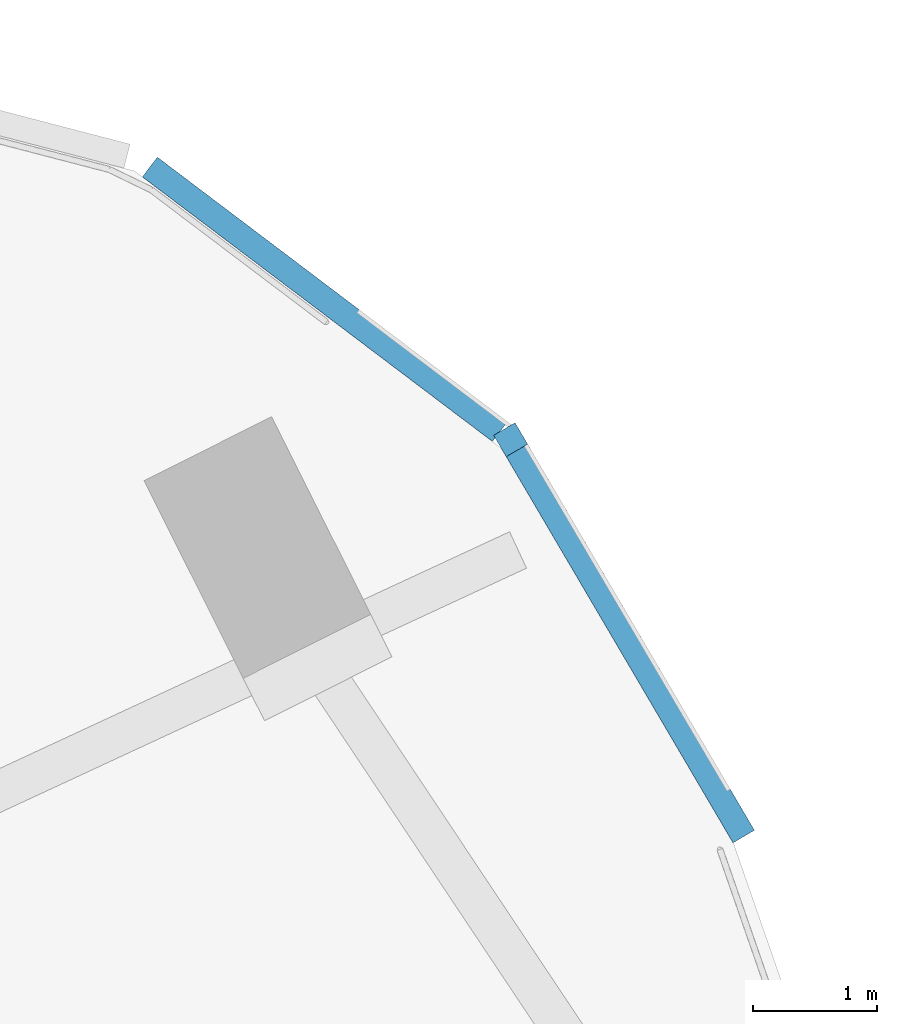
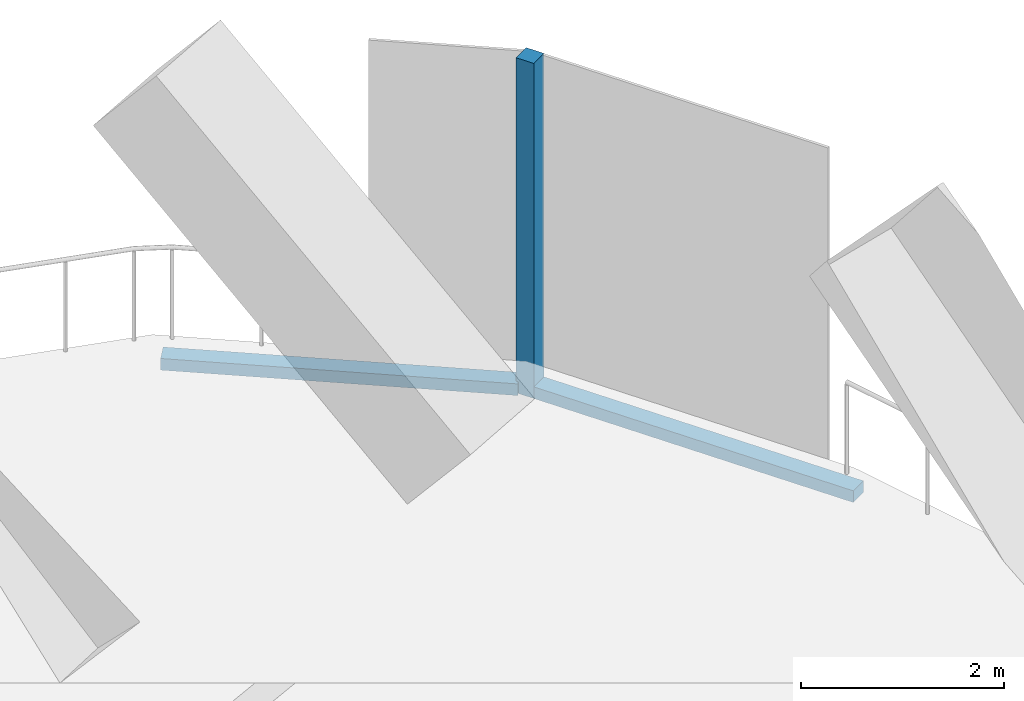
# One storey, part 11 of 26: 3 members, 2 elements without a shape of their own.
"""IFC4 building model written with IfcOpenShell, lengths in metres."""

import ifcopenshell
import ifcopenshell.guid

model = None  # the IFC model being written
_history = None  # IfcOwnerHistory: only IFC2X3 demands one
_inside = {}  # id of a spatial element -> (the spatial element, [elements in it])
_under = {}  # id of a project, library or spatial element -> (it, [spatial elements below it])
_declared = {}  # id of a project -> (the project, [libraries it declares])
_typed = {}  # id of a type object -> (the type object, [elements of that type])
_made_of = {}  # id of a material, layer set ... -> (it, [elements and type objects made of it])


def new_model(schema):
    """Start an empty IFC model of exactly this schema.

    Asked for "IFC4X3", IfcOpenShell would pick the latest addendum, in which some entities
    have other attributes; the version numbers below select the first issue.
    IFC2X3 requires an IfcOwnerHistory on every rooted entity: one is made here for all.
    """
    global model, _history
    if schema == "IFC4X3":
        model = ifcopenshell.file(schema_version=(4, 3, 0, 0))
    else:
        model = ifcopenshell.file(schema=schema)
    _inside.clear()
    _under.clear()
    _declared.clear()
    _typed.clear()
    _made_of.clear()
    _history = None
    if model.schema == "IFC2X3":
        org = make("IfcOrganization", Name="unknown")
        user = make(
            "IfcPersonAndOrganization",
            ThePerson=make("IfcPerson", FamilyName="unknown"),
            TheOrganization=org,
        )
        app = make(
            "IfcApplication",
            ApplicationDeveloper=org,
            Version="unknown",
            ApplicationFullName="unknown",
            ApplicationIdentifier="unknown",
        )
        _history = make(
            "IfcOwnerHistory",
            OwningUser=user,
            OwningApplication=app,
            ChangeAction="ADDED",
            CreationDate=0,
        )
    return model


def make(cls, **values):
    """One entity of the class cls with the attributes given. An attribute that is None is left unset."""
    return model.create_entity(
        cls, **{name: value for name, value in values.items() if value is not None}
    )


def rooted(cls, **values):
    """An entity with a GlobalId (a new one), such as an element, a storey or a relation."""
    return make(cls, GlobalId=ifcopenshell.guid.new(), OwnerHistory=_history, **values)


def si_unit(unit_type, name, prefix=None):
    """IfcSIUnit, for example si_unit("LENGTHUNIT", "METRE", prefix="MILLI")."""
    return make("IfcSIUnit", UnitType=unit_type, Prefix=prefix, Name=name)


def assignment(units):
    """IfcUnitAssignment: the units of a project."""
    return None if units is None else make("IfcUnitAssignment", Units=units)


def point(xyz):
    """IfcCartesianPoint."""
    return None if xyz is None else make("IfcCartesianPoint", Coordinates=xyz)


def direction(xyz):
    """IfcDirection."""
    return None if xyz is None else make("IfcDirection", DirectionRatios=xyz)


def frame(location, z_axis=None, x_axis=None):
    """IfcAxis2Placement3D, a coordinate frame: its origin and axes. An axis left out is left unset."""
    return make(
        "IfcAxis2Placement3D",
        Location=point(location),
        Axis=direction(z_axis),
        RefDirection=direction(x_axis),
    )


def frame_2d(location, x_axis=None):
    """IfcAxis2Placement2D, a coordinate frame in the plane: its origin and x axis."""
    return make(
        "IfcAxis2Placement2D", Location=point(location), RefDirection=direction(x_axis)
    )


def origin():
    """The frame at (0, 0, 0) with its axes left unset."""
    return frame((0.0, 0.0, 0.0))


def origin_2d():
    """The frame at (0, 0) in the plane with its x axis left unset."""
    return frame_2d((0.0, 0.0))


def place(relative_to, where):
    """IfcLocalPlacement: puts the frame where relative to a parent placement (None: the world)."""
    return make(
        "IfcLocalPlacement", PlacementRelTo=relative_to, RelativePlacement=where
    )


def context(
    kind, dimensions, precision=None, world=None, true_north=None, identifier=None
):
    """IfcGeometricRepresentationContext, for example the 3D "Model" context."""
    return make(
        "IfcGeometricRepresentationContext",
        ContextIdentifier=identifier,
        ContextType=kind,
        CoordinateSpaceDimension=dimensions,
        Precision=precision,
        WorldCoordinateSystem=world,
        TrueNorth=true_north,
    )


def subcontext(parent, identifier, kind, view, scale=None):
    """IfcGeometricRepresentationSubContext, for example "Body" below "Model"."""
    return make(
        "IfcGeometricRepresentationSubContext",
        ContextIdentifier=identifier,
        ContextType=kind,
        ParentContext=parent,
        TargetScale=scale,
        TargetView=view,
    )


def project(units=None, contexts=None):
    """IfcProject with its units and contexts."""
    return rooted(
        "IfcProject",
        Name="project",
        RepresentationContexts=contexts,
        UnitsInContext=assignment(units),
    )


def spatial(cls, under=None, at=None, **own):
    """A site, building, storey or space (cls), placed at a placement, below another one or the project."""
    s = rooted(cls, ObjectPlacement=at, **own)
    if under is not None:
        _under.setdefault(under.id(), (under, []))[1].append(s)
    return s


def profile(cls, at=None, kind="AREA", **sizes):
    """A parametric profile (cls). Its sizes go by their IFC names, for example OverallWidth=200.0."""
    return make(cls, ProfileType=kind, Position=at, **sizes)


def rectangle(**sizes):
    """IfcRectangleProfileDef."""
    return profile("IfcRectangleProfileDef", **sizes)


def extrude(swept, where, along, depth):
    """IfcExtrudedAreaSolid: the profile swept, set in the frame where, extruded along a direction by depth."""
    return make(
        "IfcExtrudedAreaSolid",
        SweptArea=swept,
        Position=where,
        ExtrudedDirection=direction(along),
        Depth=depth,
    )


def shape(context_of_items, identifier, shape_type, items):
    """IfcShapeRepresentation: the items that make up one representation, for example the "Body"."""
    return make(
        "IfcShapeRepresentation",
        ContextOfItems=context_of_items,
        RepresentationIdentifier=identifier,
        RepresentationType=shape_type,
        Items=items,
    )


def material(Name=None, Category=None):
    """IfcMaterial."""
    return make("IfcMaterial", Name=Name, Category=Category)


def material_profile(
    of_material, cross_section, Name=None, Category=None, Priority=None
):
    """IfcMaterialProfile: a cross section and its material."""
    return make(
        "IfcMaterialProfile",
        Name=Name,
        Material=of_material,
        Profile=cross_section,
        Priority=Priority,
        Category=Category,
    )


def profile_set(profiles, Name=None, composite=None):
    """IfcMaterialProfileSet."""
    return make(
        "IfcMaterialProfileSet",
        Name=Name,
        MaterialProfiles=profiles,
        CompositeProfile=composite,
    )


def made_of(thing, what):
    """Note that an element or type object is made of a material, layer set ...; save() writes the relation."""
    if what is not None:
        _made_of.setdefault(what.id(), (what, []))[1].append(thing)
    return thing


def type_object(cls, material=None, **own):
    """A type object (cls), such as IfcWallType, which elements share."""
    return made_of(rooted(cls, **own), material)


def element(
    cls,
    number,
    at=None,
    inside=None,
    cuts=None,
    type_object=None,
    material=None,
    context=None,
    identifier="Body",
    shape_type=None,
    held_by="IfcProductDefinitionShape",
    body=None,
    shapes=None,
    **own,
):
    """One element of the class cls, such as IfcWall. Its Tag is "e" and its number.

    at: its placement. inside: the storey or other place that contains it. cuts: it is an
    opening in that element (IfcRelVoidsElement). A single representation is given by context,
    identifier, shape_type and body (its items); several are given by shapes. held_by: the class
    of the entity that holds the representations. save() writes the other relations.
    """
    e = rooted(cls, Tag="e%d" % number, ObjectPlacement=at, **own)
    if body is not None:
        shapes = [shape(context, identifier, shape_type, body)]
    if shapes is not None:
        e.Representation = make(held_by, Representations=shapes)
    if inside is not None:
        _inside.setdefault(inside.id(), (inside, []))[1].append(e)
    if cuts is not None:
        rooted(
            "IfcRelVoidsElement", RelatingBuildingElement=cuts, RelatedOpeningElement=e
        )
    if type_object is not None:
        _typed.setdefault(type_object.id(), (type_object, []))[1].append(e)
    return made_of(e, material)


def aggregate(whole, parts):
    """IfcRelAggregates: a whole, such as a stair, and the parts it consists of."""
    return rooted("IfcRelAggregates", RelatingObject=whole, RelatedObjects=parts)


def save(model, path):
    """Write the relations noted so far, then the file.

    IfcRelAggregates (storeys below a building ...), IfcRelContainedInSpatialStructure (elements
    in a storey), IfcRelDefinesByType, IfcRelAssociatesMaterial and IfcRelDeclares: one each for
    every whole, place, type object, material and project.
    """
    for whole, parts in _under.values():
        aggregate(whole, parts)
    for where, things in _inside.values():
        rooted(
            "IfcRelContainedInSpatialStructure",
            RelatedElements=things,
            RelatingStructure=where,
        )
    for kind, things in _typed.values():
        rooted("IfcRelDefinesByType", RelatedObjects=things, RelatingType=kind)
    for what, things in _made_of.values():
        rooted("IfcRelAssociatesMaterial", RelatedObjects=things, RelatingMaterial=what)
    for by, libraries in _declared.values():
        rooted("IfcRelDeclares", RelatingContext=by, RelatedDefinitions=libraries)
    model.write(path)


model = new_model("IFC4")

# Units and contexts
model_context = context("Model", 3, precision=1e-05, world=origin(), true_north=direction((0.0, 1.0)))
body_context = subcontext(model_context, "Body", "Model", "MODEL_VIEW")
ifc_project = project(units=[si_unit("LENGTHUNIT", "METRE"), si_unit("AREAUNIT", "SQUARE_METRE"), si_unit("VOLUMEUNIT", "CUBIC_METRE"), si_unit("PLANEANGLEUNIT", "RADIAN"), si_unit("MASSUNIT", "GRAM", prefix="KILO")], contexts=[model_context])

# Site, building, storey
site_placement = place(None, origin())
site = spatial("IfcSite", under=ifc_project, at=site_placement, CompositionType="ELEMENT")
building_placement = place(site_placement, origin())
building = spatial("IfcBuilding", under=site, at=building_placement, Name="Orlundy Tower", CompositionType="ELEMENT")
storey_placement = place(building_placement, frame((0.0, 0.0, 228.0)))
storey = spatial("IfcBuildingStorey", under=building, at=storey_placement, Name="L60", CompositionType="ELEMENT", Elevation=228.0)

# Curtain wall, member
ifc_material_1 = material(Name="Aluminium bronze anodised", Category="aluminium")
curtain_wall_type = type_object("IfcCurtainWallType", Name="CW5 wall", PredefinedType="NOTDEFINED", material=ifc_material_1)
curtain_wall_1_placement = place(storey_placement, origin())
curtain_wall_1 = element("IfcCurtainWall", 1, at=curtain_wall_1_placement, inside=storey, type_object=curtain_wall_type, Name="CW5 run 020", PredefinedType="NOTDEFINED")
ifc_material_2 = material(Name="Aluminium bronze anodised", Category="aluminium")
ifc_material_profile_1 = material_profile(ifc_material_2, rectangle(XDim=0.199951171875, YDim=0.199951171875, at=origin_2d()), Name="CW5 corner post 200x200")
ifc_profile_set_1 = profile_set([ifc_material_profile_1], Name="Aluminium bronze anodised")
member_type_1 = type_object("IfcMemberType", Name="CW5 corner post 200x200", PredefinedType="MULLION", material=ifc_profile_set_1)
member_1_placement = place(storey_placement, frame((33.007080078125, 26.478759765625, -0.419921875), z_axis=(0.0, 0.0, 1.0), x_axis=(0.862287730604, 0.506418670322, 0.0)))
member_1 = element("IfcMember", 2, at=member_1_placement, type_object=member_type_1, Name="CW5 mullion 30", PredefinedType="MULLION", context=body_context, shape_type="SweptSolid", body=[
    extrude(rectangle(XDim=0.199951171875, YDim=0.199951171875, at=origin_2d()), origin(), (0.0, 0.0, 1.0), 4.02001953125),
])

curtain_wall_2_placement = place(storey_placement, origin())
curtain_wall_2 = element("IfcCurtainWall", 3, at=curtain_wall_2_placement, inside=storey, type_object=curtain_wall_type, Name="CW5 run 019", PredefinedType="NOTDEFINED")
ifc_material_3 = material(Name="Aluminium bronze anodised", Category="aluminium")
ifc_material_profile_2 = material_profile(ifc_material_3, rectangle(XDim=0.199951171875, YDim=0.139892578125, at=origin_2d()), Name="CW5 transom 200x140")
ifc_profile_set_2 = profile_set([ifc_material_profile_2], Name="Aluminium bronze anodised")
member_type_2 = type_object("IfcMemberType", Name="CW5 transom 200x140", PredefinedType="USERDEFINED", material=ifc_profile_set_2)
member_2_placement = place(storey_placement, frame((30.09814453125, 28.677490234375, -0.35009765625), z_axis=(0.797758900538, -0.602976563899, 0.0), x_axis=(0.602976563899, 0.797758900538, 0.0)))
member_2 = element("IfcMember", 4, at=member_2_placement, type_object=member_type_2, Name="CW5 transom", ObjectType="TRANSOM", PredefinedType="USERDEFINED", context=body_context, shape_type="SweptSolid", body=[
    extrude(rectangle(XDim=0.199951171875, YDim=0.139892578125, at=origin_2d()), origin(), (0.0, 0.0, 1.0), 3.538330078125),
])
aggregate(curtain_wall_2, [member_2])

# Member
member_3_placement = place(storey_placement, frame((33.057861328125, 26.392578125, -0.35009765625), z_axis=(0.506399511921, -0.862298981981, 0.0), x_axis=(0.862298981981, 0.506399511921, 0.0)))
member_3 = element("IfcMember", 5, at=member_3_placement, type_object=member_type_2, Name="CW5 transom", ObjectType="TRANSOM", PredefinedType="USERDEFINED", context=body_context, shape_type="SweptSolid", body=[
    extrude(rectangle(XDim=0.199951171875, YDim=0.139892578125, at=origin_2d()), origin(), (0.0, 0.0, 1.0), 3.611083984375),
])

aggregate(curtain_wall_1, [member_1, member_3])

save(model, "model.ifc")
